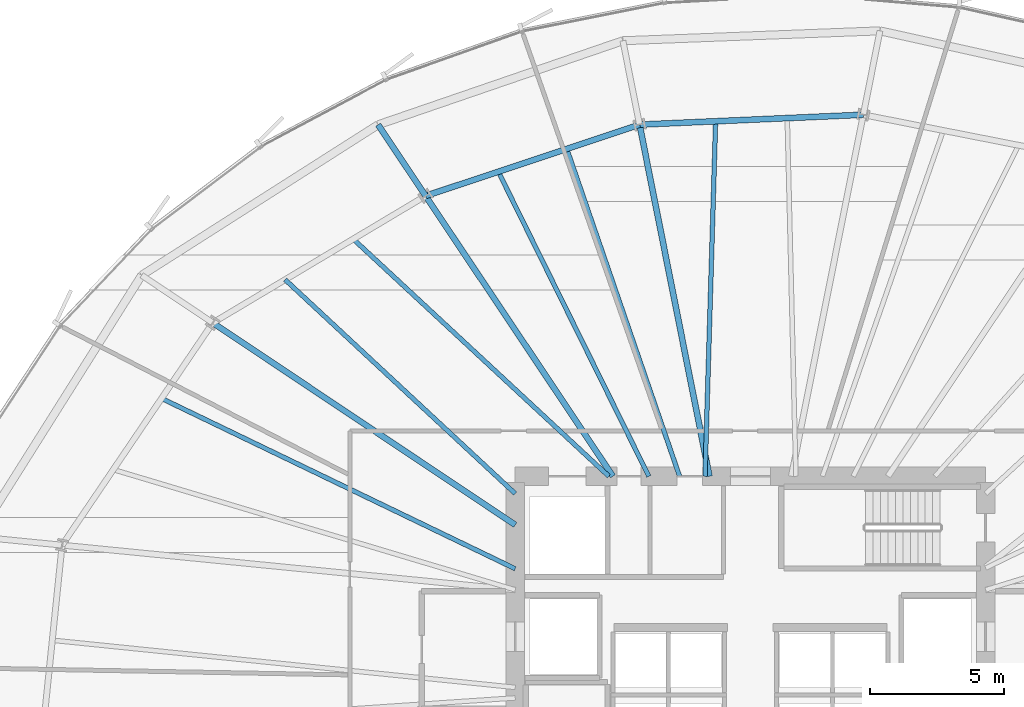
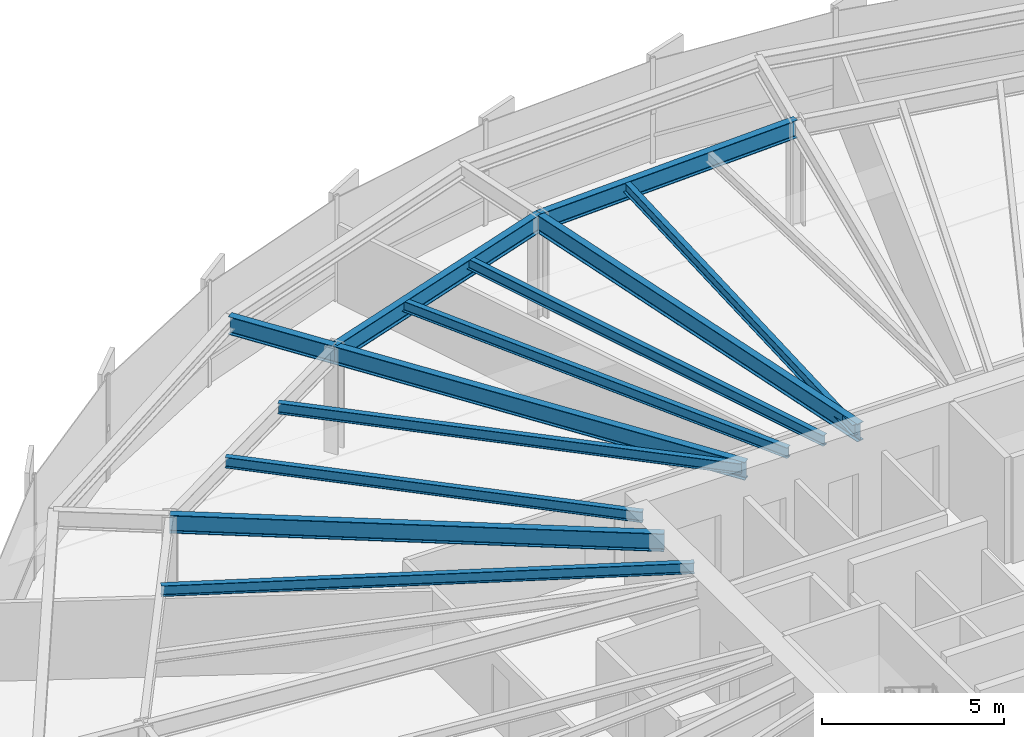
# One storey, part 20 of 37: 12 beams.
"""IFC4 building model written with IfcOpenShell, lengths in metres."""

from ifc_helpers import new_model, si_unit, direction, frame, origin, origin_2d, place, context, subcontext, project, spatial, i_section, extrude, source, transform, mapped, material, material_profile, profile_set, type_object, element, save


model = new_model("IFC4")

# Units and contexts
model_context = context("Model", 3, precision=1e-05, world=origin(), true_north=direction((0.0, 1.0)))
body_context = subcontext(model_context, "Body", "Model", "MODEL_VIEW")
ifc_project = project(units=[si_unit("LENGTHUNIT", "METRE"), si_unit("AREAUNIT", "SQUARE_METRE"), si_unit("VOLUMEUNIT", "CUBIC_METRE"), si_unit("PLANEANGLEUNIT", "RADIAN"), si_unit("MASSUNIT", "GRAM", prefix="KILO"), si_unit("THERMODYNAMICTEMPERATUREUNIT", "KELVIN")], contexts=[model_context])

# Site, building, storey
site_placement = place(None, origin())
site = spatial("IfcSite", under=ifc_project, at=site_placement, CompositionType="ELEMENT")
building_placement = place(site_placement, origin())
building = spatial("IfcBuilding", under=site, at=building_placement, Name="Kethvar Cultural Tower", CompositionType="ELEMENT")
storey_placement = place(building_placement, frame((0.0, 0.0, 60.0)))
storey = spatial("IfcBuildingStorey", under=building, at=storey_placement, Name="L14", CompositionType="ELEMENT", Elevation=60.0)

# Beams
ifc_material = material(Name="Steel S355J2", Category="steel")
ifc_material_profile_1 = material_profile(ifc_material, i_section(OverallWidth=0.219970703125, OverallDepth=0.60009765625, WebThickness=0.011962890625, FlangeThickness=0.01904296875, FilletRadius=0.02392578125, at=origin_2d()), Name="Steel S355J2 — IPE600")
ifc_profile_set_1 = profile_set([ifc_material_profile_1], Name="Steel S355J2 — IPE600")
beam_type_1 = type_object("IfcBeamType", Name="BM-IPE600", PredefinedType="BEAM", material=ifc_profile_set_1)
shared_shape_1 = source(origin(), body_context, "Body", "SweptSolid", [
    extrude(i_section(OverallWidth=0.219970703125, OverallDepth=0.60009765625, WebThickness=0.011962890625, FlangeThickness=0.01904296875, FilletRadius=0.02392578125, at=origin_2d()), origin(), (0.0, 0.0, 1.0), 3.199951171875),
])
beam_1_placement = place(storey_placement, frame((34.64599609375, 45.98974609375, 3.248046875), z_axis=(-0.555580212716, 0.831462943996, 0.0), x_axis=(-0.831462943996, -0.555580212716, 0.0)))
element("IfcBeam", 1, at=beam_1_placement, inside=storey, type_object=beam_type_1, Name="L14 Perimeter Cantilever Beam RC-06", PredefinedType="BEAM", context=body_context, shape_type="MappedRepresentation", body=[
    mapped(shared_shape_1, transform((0.0, 0.0, 0.0), scale=1.0)),
])
shared_shape_2 = source(origin(), body_context, "Body", "SweptSolid", [
    extrude(i_section(OverallWidth=0.219970703125, OverallDepth=0.60009765625, WebThickness=0.011962890625, FlangeThickness=0.01904296875, FilletRadius=0.02392578125, at=origin_2d()), origin(), (0.0, 0.0, 1.0), 13.41357421875),
])
beam_2_placement = place(storey_placement, frame((45.268310546875, 35.5, 3.248046875), z_axis=(-0.195079960025, 0.980787341474, 0.0), x_axis=(-0.980787341474, -0.195079960025, 0.0)))
element("IfcBeam", 2, at=beam_2_placement, inside=storey, type_object=beam_type_1, Name="L14 Primary Radial Beam RB-05", PredefinedType="BEAM", context=body_context, shape_type="MappedRepresentation", body=[
    mapped(shared_shape_2, transform((0.0, 0.0, 0.0), scale=1.0)),
])
shared_shape_3 = source(origin(), body_context, "Body", "SweptSolid", [
    extrude(i_section(OverallWidth=0.219970703125, OverallDepth=0.60009765625, WebThickness=0.011962890625, FlangeThickness=0.01904296875, FilletRadius=0.02392578125, at=origin_2d()), origin(), (0.0, 0.0, 1.0), 12.615966796875),
])
beam_3_placement = place(storey_placement, frame((41.655029296875, 35.5, 3.248046875), z_axis=(-0.555570723257, 0.831469284736, 0.0), x_axis=(-0.831469284736, -0.555570723257, 0.0)))
element("IfcBeam", 3, at=beam_3_placement, inside=storey, type_object=beam_type_1, Name="L14 Primary Radial Beam RB-06", PredefinedType="BEAM", context=body_context, shape_type="MappedRepresentation", body=[
    mapped(shared_shape_3, transform((0.0, 0.0, 0.0), scale=1.0)),
])
shared_shape_4 = source(origin(), body_context, "Body", "SweptSolid", [
    extrude(i_section(OverallWidth=0.219970703125, OverallDepth=0.60009765625, WebThickness=0.011962890625, FlangeThickness=0.01904296875, FilletRadius=0.02392578125, at=origin_2d()), origin(), (0.0, 0.0, 1.0), 13.60888671875),
])
beam_4_placement = place(storey_placement, frame((38.0, 33.679931640625, 3.248046875), z_axis=(-0.831467486755, 0.555573414113, 0.0), x_axis=(-0.555573414113, -0.831467486755, 0.0)))
element("IfcBeam", 4, at=beam_4_placement, inside=storey, type_object=beam_type_1, Name="L14 Primary Radial Beam RB-07", PredefinedType="BEAM", context=body_context, shape_type="MappedRepresentation", body=[
    mapped(shared_shape_4, transform((0.0, 0.0, 0.0), scale=1.0)),
])
shared_shape_5 = source(origin(), body_context, "Body", "SweptSolid", [
    extrude(i_section(OverallWidth=0.219970703125, OverallDepth=0.60009765625, WebThickness=0.011962890625, FlangeThickness=0.01904296875, FilletRadius=0.02392578125, at=origin_2d()), origin(), (0.0, 0.0, 1.0), 8.378662109375),
])
beam_5_placement = place(storey_placement, frame((51.022216796875, 49.02587890625, 3.248046875), z_axis=(-0.999023890534, -0.04417313825, 0.0), x_axis=(0.04417313825, -0.999023890534, 0.0)))
element("IfcBeam", 5, at=beam_5_placement, inside=storey, type_object=beam_type_1, Name="L14 Column Ring Tie Beam CR-04", PredefinedType="BEAM", context=body_context, shape_type="MappedRepresentation", body=[
    mapped(shared_shape_5, transform((0.0, 0.0, 0.0), scale=1.0)),
])
ifc_material_profile_2 = material_profile(ifc_material, i_section(OverallWidth=0.169921875, OverallDepth=0.360107421875, WebThickness=0.008056640625, FlangeThickness=0.0126953125, FilletRadius=0.01806640625, at=origin_2d()), Name="Steel S355J2 — IPE360")
ifc_profile_set_2 = profile_set([ifc_material_profile_2], Name="Steel S355J2 — IPE360")
beam_type_2 = type_object("IfcBeamType", Name="BM-J360", PredefinedType="JOIST", material=ifc_profile_set_2)
shared_shape_6 = source(origin(), body_context, "Body", "SweptSolid", [
    extrude(i_section(OverallWidth=0.169921875, OverallDepth=0.360107421875, WebThickness=0.008056640625, FlangeThickness=0.0126953125, FilletRadius=0.01806640625, at=origin_2d()), origin(), (0.0, 0.0, 1.0), 13.287353515625),
])
beam_6_placement = place(storey_placement, frame((45.10009765625, 35.5, 3.367919921875), z_axis=(0.029912529234, 0.999552520178, 0.0), x_axis=(-0.999552520178, 0.029912529234, 0.0)))
element("IfcBeam", 6, at=beam_6_placement, inside=storey, type_object=beam_type_2, Name="L14 Composite Floor Joist J-04B", PredefinedType="JOIST", context=body_context, shape_type="MappedRepresentation", body=[
    mapped(shared_shape_6, transform((0.0, 0.0, 0.0), scale=1.0)),
])
shared_shape_7 = source(origin(), body_context, "Body", "SweptSolid", [
    extrude(i_section(OverallWidth=0.219970703125, OverallDepth=0.60009765625, WebThickness=0.011962890625, FlangeThickness=0.01904296875, FilletRadius=0.02392578125, at=origin_2d()), origin(), (0.0, 0.0, 1.0), 8.437744140625),
])
beam_7_placement = place(storey_placement, frame((42.651611328125, 48.65576171875, 3.248046875), z_axis=(-0.948772955115, -0.315958667618, 0.0), x_axis=(0.315958667618, -0.948772955115, 0.0)))
element("IfcBeam", 7, at=beam_7_placement, inside=storey, type_object=beam_type_1, Name="L14 Column Ring Tie Beam CR-05", PredefinedType="BEAM", context=body_context, shape_type="MappedRepresentation", body=[
    mapped(shared_shape_7, transform((0.0, 0.0, 0.0), scale=1.0)),
])
shared_shape_8 = source(origin(), body_context, "Body", "SweptSolid", [
    extrude(i_section(OverallWidth=0.169921875, OverallDepth=0.360107421875, WebThickness=0.008056640625, FlangeThickness=0.0126953125, FilletRadius=0.01806640625, at=origin_2d()), origin(), (0.0, 0.0, 1.0), 12.955322265625),
])
beam_8_placement = place(storey_placement, frame((44.148193359375, 35.5, 3.367919921875), z_axis=(-0.325619549533, 0.945500877293, 0.0), x_axis=(-0.945500877293, -0.325619549533, 0.0)))
element("IfcBeam", 8, at=beam_8_placement, inside=storey, type_object=beam_type_2, Name="L14 Composite Floor Joist J-05A", PredefinedType="JOIST", context=body_context, shape_type="MappedRepresentation", body=[
    mapped(shared_shape_8, transform((0.0, 0.0, 0.0), scale=1.0)),
])
shared_shape_9 = source(origin(), body_context, "Body", "SweptSolid", [
    extrude(i_section(OverallWidth=0.169921875, OverallDepth=0.360107421875, WebThickness=0.008056640625, FlangeThickness=0.0126953125, FilletRadius=0.01806640625, at=origin_2d()), origin(), (0.0, 0.0, 1.0), 12.710693359375),
])
beam_9_placement = place(storey_placement, frame((42.996826171875, 35.5, 3.367919921875), z_axis=(-0.442851992051, 0.896594731825, 0.0), x_axis=(-0.896594731825, -0.442851992051, 0.0)))
element("IfcBeam", 9, at=beam_9_placement, inside=storey, type_object=beam_type_2, Name="L14 Composite Floor Joist J-05B", PredefinedType="JOIST", context=body_context, shape_type="MappedRepresentation", body=[
    mapped(shared_shape_9, transform((0.0, 0.0, 0.0), scale=1.0)),
])
shared_shape_10 = source(origin(), body_context, "Body", "SweptSolid", [
    extrude(i_section(OverallWidth=0.169921875, OverallDepth=0.360107421875, WebThickness=0.008056640625, FlangeThickness=0.0126953125, FilletRadius=0.01806640625, at=origin_2d()), origin(), (0.0, 0.0, 1.0), 13.045166015625),
])
beam_10_placement = place(storey_placement, frame((41.5, 35.5, 3.367919921875), z_axis=(-0.732903465528, 0.680332646737, 0.0), x_axis=(-0.680332646737, -0.732903465528, 0.0)))
element("IfcBeam", 10, at=beam_10_placement, inside=storey, type_object=beam_type_2, Name="L14 Composite Floor Joist J-06A", PredefinedType="JOIST", context=body_context, shape_type="MappedRepresentation", body=[
    mapped(shared_shape_10, transform((0.0, 0.0, 0.0), scale=1.0)),
])
shared_shape_11 = source(origin(), body_context, "Body", "SweptSolid", [
    extrude(i_section(OverallWidth=0.169921875, OverallDepth=0.360107421875, WebThickness=0.008056640625, FlangeThickness=0.0126953125, FilletRadius=0.01806640625, at=origin_2d()), origin(), (0.0, 0.0, 1.0), 11.75537109375),
])
beam_11_placement = place(storey_placement, frame((38.0, 34.85009765625, 3.367919921875), z_axis=(-0.732290300234, 0.680992596276, 0.0), x_axis=(-0.680992596276, -0.732290300234, 0.0)))
element("IfcBeam", 11, at=beam_11_placement, inside=storey, type_object=beam_type_2, Name="L14 Composite Floor Joist J-06B", PredefinedType="JOIST", context=body_context, shape_type="MappedRepresentation", body=[
    mapped(shared_shape_11, transform((0.0, 0.0, 0.0), scale=1.0)),
])
shared_shape_12 = source(origin(), body_context, "Body", "SweptSolid", [
    extrude(i_section(OverallWidth=0.169921875, OverallDepth=0.360107421875, WebThickness=0.008056640625, FlangeThickness=0.0126953125, FilletRadius=0.01806640625, at=origin_2d()), origin(), (0.0, 0.0, 1.0), 14.687255859375),
])
beam_12_placement = place(storey_placement, frame((38.0, 32.038818359375, 3.367919921875), z_axis=(-0.900928984091, 0.433966548971, 0.0), x_axis=(-0.433966548971, -0.900928984091, 0.0)))
element("IfcBeam", 12, at=beam_12_placement, inside=storey, type_object=beam_type_2, Name="L14 Composite Floor Joist J-07A", PredefinedType="JOIST", context=body_context, shape_type="MappedRepresentation", body=[
    mapped(shared_shape_12, transform((0.0, 0.0, 0.0), scale=1.0)),
])

save(model, "model.ifc")
